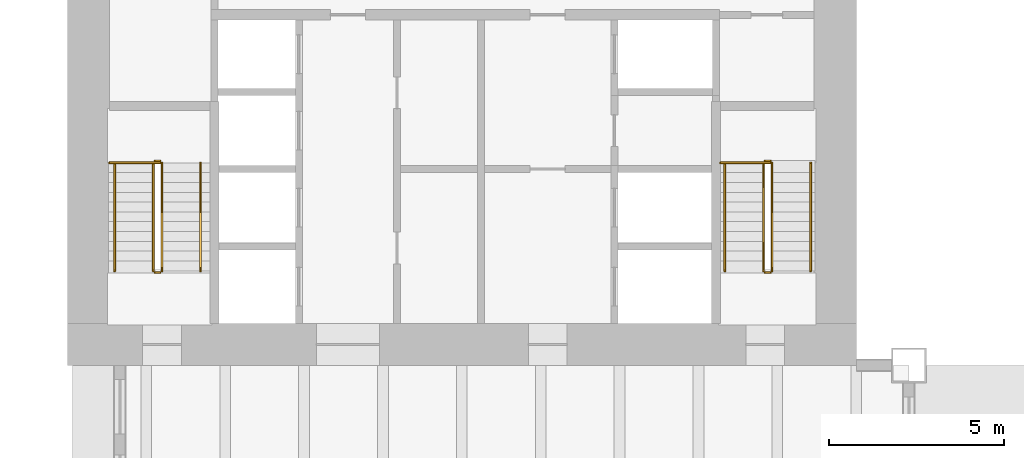
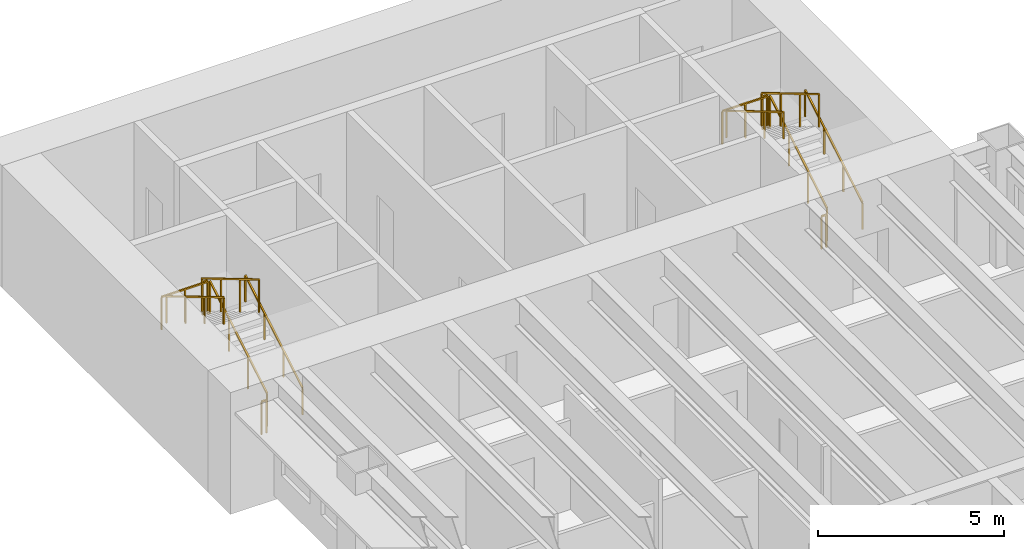
# One storey, part 16 of 16: 14 railings.
"""IFC4 building model written with IfcOpenShell, lengths in metres."""

from ifc_helpers import new_model, si_unit, direction, frame, origin, origin_2d, place, context, subcontext, project, spatial, rectangle, extrude, material, type_object, element, save


model = new_model("IFC4")

# Units and contexts
model_context = context("Model", 3, precision=1e-05, world=origin(), true_north=direction((0.0, 1.0)))
body_context = subcontext(model_context, "Body", "Model", "MODEL_VIEW")
ifc_project = project(units=[si_unit("LENGTHUNIT", "METRE"), si_unit("AREAUNIT", "SQUARE_METRE"), si_unit("VOLUMEUNIT", "CUBIC_METRE"), si_unit("PLANEANGLEUNIT", "RADIAN"), si_unit("MASSUNIT", "GRAM", prefix="KILO")], contexts=[model_context])

# Site, building, storey
site_placement = place(None, origin())
site = spatial("IfcSite", under=ifc_project, at=site_placement, CompositionType="ELEMENT")
building_placement = place(site_placement, origin())
building = spatial("IfcBuilding", under=site, at=building_placement, Name="Sennacour Bend Tower", CompositionType="ELEMENT")
storey_placement = place(building_placement, frame((0.0, 0.0, 91.0)))
storey = spatial("IfcBuildingStorey", under=building, at=storey_placement, Name="L20", CompositionType="ELEMENT", Elevation=91.0)

# Railings
ifc_material = material(Name="Stainless steel", Category="steel")
railing_type_1 = type_object("IfcRailingType", Name="RL-GUARD-1100", PredefinedType="GUARDRAIL", material=ifc_material)
railing_1_placement = place(storey_placement, frame((2.699951171875, 38.699951171875, 0.166748046875)))
element("IfcRailing", 1, at=railing_1_placement, inside=storey, type_object=railing_type_1, Name="L20 SB1 stair guard 1", PredefinedType="GUARDRAIL", context=body_context, shape_type="SweptSolid", body=[
    extrude(rectangle(XDim=0.048095703125, YDim=0.048095703125, at=origin_2d()), frame((0.0, 0.0, 1.076171875), z_axis=(0.0, 0.859308565015, 0.511457515432), x_axis=(-1.0, 0.0, 0.0)), (0.0, 0.0, 1.0), 3.58447265625),
    extrude(rectangle(XDim=0.0419921875, YDim=0.0419921875, at=origin_2d()), origin(), (0.0, 0.0, 1.0), 1.052001953125),
    extrude(rectangle(XDim=0.0419921875, YDim=0.0419921875, at=origin_2d()), frame((0.0, 1.026611328125, 0.611083984375)), (0.0, 0.0, 1.0), 1.052001953125),
    extrude(rectangle(XDim=0.0419921875, YDim=0.0419921875, at=origin_2d()), frame((0.0, 2.053466796875, 1.22216796875)), (0.0, 0.0, 1.0), 1.052001953125),
    extrude(rectangle(XDim=0.0419921875, YDim=0.0419921875, at=origin_2d()), frame((0.0, 3.080078125, 1.833251953125)), (0.0, 0.0, 1.0), 1.052001953125),
])
railing_2_placement = place(storey_placement, frame((2.64990234375, 41.830078125, 2.0)))
element("IfcRailing", 2, at=railing_2_placement, inside=storey, type_object=railing_type_1, Name="L20 SB1 stair guard 2", PredefinedType="GUARDRAIL", context=body_context, shape_type="SweptSolid", body=[
    extrude(rectangle(XDim=0.048095703125, YDim=0.048095703125, at=origin_2d()), frame((0.0, 0.0, 1.076171875), z_axis=(-1.0, 0.0, 0.0), x_axis=(0.0, -1.0, 0.0)), (0.0, 0.0, 1.0), 0.14990234375),
    extrude(rectangle(XDim=0.0419921875, YDim=0.0419921875, at=origin_2d()), origin(), (0.0, 0.0, 1.0), 1.052001953125),
    extrude(rectangle(XDim=0.0419921875, YDim=0.0419921875, at=origin_2d()), frame((-0.14990234375, 0.0, 0.0)), (0.0, 0.0, 1.0), 1.052001953125),
])
railing_3_placement = place(storey_placement, frame((2.449951171875, 41.780029296875, 2.166748046875)))
element("IfcRailing", 3, at=railing_3_placement, inside=storey, type_object=railing_type_1, Name="L20 SB1 stair guard 4", PredefinedType="GUARDRAIL", context=body_context, shape_type="SweptSolid", body=[
    extrude(rectangle(XDim=0.048095703125, YDim=0.048095703125, at=origin_2d()), frame((0.0, 0.0, 1.076171875), z_axis=(0.0, -0.859308565015, 0.511457515432), x_axis=(1.0, 0.0, 0.0)), (0.0, 0.0, 1.0), 3.58447265625),
    extrude(rectangle(XDim=0.0419921875, YDim=0.0419921875, at=origin_2d()), origin(), (0.0, 0.0, 1.0), 1.052001953125),
    extrude(rectangle(XDim=0.0419921875, YDim=0.0419921875, at=origin_2d()), frame((0.0, -1.026611328125, 0.611083984375)), (0.0, 0.0, 1.0), 1.052001953125),
    extrude(rectangle(XDim=0.0419921875, YDim=0.0419921875, at=origin_2d()), frame((0.0, -2.053466796875, 1.22216796875)), (0.0, 0.0, 1.0), 1.052001953125),
    extrude(rectangle(XDim=0.0419921875, YDim=0.0419921875, at=origin_2d()), frame((0.0, -3.080078125, 1.833251953125)), (0.0, 0.0, 1.0), 1.052001953125),
])
railing_4_placement = place(storey_placement, frame((2.64990234375, 38.64990234375, 0.0)))
element("IfcRailing", 4, at=railing_4_placement, inside=storey, type_object=railing_type_1, Name="L20 SB1 stair guard 5", PredefinedType="GUARDRAIL", context=body_context, shape_type="SweptSolid", body=[
    extrude(rectangle(XDim=0.048095703125, YDim=0.048095703125, at=origin_2d()), frame((0.0, 0.0, 1.076171875), z_axis=(-1.0, 0.0, 0.0), x_axis=(0.0, -1.0, 0.0)), (0.0, 0.0, 1.0), 0.14990234375),
    extrude(rectangle(XDim=0.0419921875, YDim=0.0419921875, at=origin_2d()), origin(), (0.0, 0.0, 1.0), 1.052001953125),
    extrude(rectangle(XDim=0.0419921875, YDim=0.0419921875, at=origin_2d()), frame((-0.14990234375, 0.0, 0.0)), (0.0, 0.0, 1.0), 1.052001953125),
])
railing_5_placement = place(storey_placement, frame((2.64990234375, 41.780029296875, 2.0)))
element("IfcRailing", 5, at=railing_5_placement, inside=storey, type_object=railing_type_1, Name="L20 SB1 landing edge guard 43", PredefinedType="GUARDRAIL", context=body_context, shape_type="SweptSolid", body=[
    extrude(rectangle(XDim=0.048095703125, YDim=0.048095703125, at=origin_2d()), frame((0.0, 0.0, 1.076171875), z_axis=(-1.0, 0.0, 0.0), x_axis=(0.0, -1.0, 0.0)), (0.0, 0.0, 1.0), 1.449951171875),
    extrude(rectangle(XDim=0.0419921875, YDim=0.0419921875, at=origin_2d()), origin(), (0.0, 0.0, 1.0), 1.052001953125),
    extrude(rectangle(XDim=0.0419921875, YDim=0.0419921875, at=origin_2d()), frame((-0.72509765625, 0.0, 0.0)), (0.0, 0.0, 1.0), 1.052001953125),
    extrude(rectangle(XDim=0.0419921875, YDim=0.0419921875, at=origin_2d()), frame((-1.449951171875, 0.0, 0.0)), (0.0, 0.0, 1.0), 1.052001953125),
])
railing_6_placement = place(storey_placement, frame((20.10009765625, 38.699951171875, 0.166748046875)))
element("IfcRailing", 6, at=railing_6_placement, inside=storey, type_object=railing_type_1, Name="L20 SB2 stair guard 1", PredefinedType="GUARDRAIL", context=body_context, shape_type="SweptSolid", body=[
    extrude(rectangle(XDim=0.048095703125, YDim=0.048095703125, at=origin_2d()), frame((0.0, 0.0, 1.076171875), z_axis=(0.0, 0.859308565015, 0.511457515432), x_axis=(-1.0, 0.0, 0.0)), (0.0, 0.0, 1.0), 3.58447265625),
    extrude(rectangle(XDim=0.0419921875, YDim=0.0419921875, at=origin_2d()), origin(), (0.0, 0.0, 1.0), 1.052001953125),
    extrude(rectangle(XDim=0.0419921875, YDim=0.0419921875, at=origin_2d()), frame((0.0, 1.026611328125, 0.611083984375)), (0.0, 0.0, 1.0), 1.052001953125),
    extrude(rectangle(XDim=0.0419921875, YDim=0.0419921875, at=origin_2d()), frame((0.0, 2.053466796875, 1.22216796875)), (0.0, 0.0, 1.0), 1.052001953125),
    extrude(rectangle(XDim=0.0419921875, YDim=0.0419921875, at=origin_2d()), frame((0.0, 3.080078125, 1.833251953125)), (0.0, 0.0, 1.0), 1.052001953125),
])
railing_7_placement = place(storey_placement, frame((20.050048828125, 41.830078125, 2.0)))
element("IfcRailing", 7, at=railing_7_placement, inside=storey, type_object=railing_type_1, Name="L20 SB2 stair guard 2", PredefinedType="GUARDRAIL", context=body_context, shape_type="SweptSolid", body=[
    extrude(rectangle(XDim=0.048095703125, YDim=0.048095703125, at=origin_2d()), frame((0.0, 0.0, 1.076171875), z_axis=(-1.0, 0.0, 0.0), x_axis=(0.0, -1.0, 0.0)), (0.0, 0.0, 1.0), 0.150146484375),
    extrude(rectangle(XDim=0.0419921875, YDim=0.0419921875, at=origin_2d()), origin(), (0.0, 0.0, 1.0), 1.052001953125),
    extrude(rectangle(XDim=0.0419921875, YDim=0.0419921875, at=origin_2d()), frame((-0.150146484375, 0.0, 0.0)), (0.0, 0.0, 1.0), 1.052001953125),
])
railing_8_placement = place(storey_placement, frame((19.85009765625, 41.780029296875, 2.166748046875)))
element("IfcRailing", 8, at=railing_8_placement, inside=storey, type_object=railing_type_1, Name="L20 SB2 stair guard 4", PredefinedType="GUARDRAIL", context=body_context, shape_type="SweptSolid", body=[
    extrude(rectangle(XDim=0.048095703125, YDim=0.048095703125, at=origin_2d()), frame((0.0, 0.0, 1.076171875), z_axis=(0.0, -0.859308565015, 0.511457515432), x_axis=(1.0, 0.0, 0.0)), (0.0, 0.0, 1.0), 3.58447265625),
    extrude(rectangle(XDim=0.0419921875, YDim=0.0419921875, at=origin_2d()), origin(), (0.0, 0.0, 1.0), 1.052001953125),
    extrude(rectangle(XDim=0.0419921875, YDim=0.0419921875, at=origin_2d()), frame((0.0, -1.026611328125, 0.611083984375)), (0.0, 0.0, 1.0), 1.052001953125),
    extrude(rectangle(XDim=0.0419921875, YDim=0.0419921875, at=origin_2d()), frame((0.0, -2.053466796875, 1.22216796875)), (0.0, 0.0, 1.0), 1.052001953125),
    extrude(rectangle(XDim=0.0419921875, YDim=0.0419921875, at=origin_2d()), frame((0.0, -3.080078125, 1.833251953125)), (0.0, 0.0, 1.0), 1.052001953125),
])
railing_9_placement = place(storey_placement, frame((20.050048828125, 38.64990234375, 0.0)))
element("IfcRailing", 9, at=railing_9_placement, inside=storey, type_object=railing_type_1, Name="L20 SB2 stair guard 5", PredefinedType="GUARDRAIL", context=body_context, shape_type="SweptSolid", body=[
    extrude(rectangle(XDim=0.048095703125, YDim=0.048095703125, at=origin_2d()), frame((0.0, 0.0, 1.076171875), z_axis=(-1.0, 0.0, 0.0), x_axis=(0.0, -1.0, 0.0)), (0.0, 0.0, 1.0), 0.150146484375),
    extrude(rectangle(XDim=0.0419921875, YDim=0.0419921875, at=origin_2d()), origin(), (0.0, 0.0, 1.0), 1.052001953125),
    extrude(rectangle(XDim=0.0419921875, YDim=0.0419921875, at=origin_2d()), frame((-0.150146484375, 0.0, 0.0)), (0.0, 0.0, 1.0), 1.052001953125),
])
railing_10_placement = place(storey_placement, frame((20.050048828125, 41.780029296875, 2.0)))
element("IfcRailing", 10, at=railing_10_placement, inside=storey, type_object=railing_type_1, Name="L20 SB2 landing edge guard 33", PredefinedType="GUARDRAIL", context=body_context, shape_type="SweptSolid", body=[
    extrude(rectangle(XDim=0.048095703125, YDim=0.048095703125, at=origin_2d()), frame((0.0, 0.0, 1.076171875), z_axis=(-1.0, 0.0, 0.0), x_axis=(0.0, -1.0, 0.0)), (0.0, 0.0, 1.0), 1.425048828125),
    extrude(rectangle(XDim=0.0419921875, YDim=0.0419921875, at=origin_2d()), origin(), (0.0, 0.0, 1.0), 1.052001953125),
    extrude(rectangle(XDim=0.0419921875, YDim=0.0419921875, at=origin_2d()), frame((-0.71240234375, 0.0, 0.0)), (0.0, 0.0, 1.0), 1.052001953125),
    extrude(rectangle(XDim=0.0419921875, YDim=0.0419921875, at=origin_2d()), frame((-1.425048828125, 0.0, 0.0)), (0.0, 0.0, 1.0), 1.052001953125),
])
railing_type_2 = type_object("IfcRailingType", Name="RL-HANDRAIL-900", PredefinedType="HANDRAIL", material=ifc_material)
railing_11_placement = place(storey_placement, frame((3.800048828125, 38.699951171875, 0.166748046875)))
element("IfcRailing", 11, at=railing_11_placement, inside=storey, type_object=railing_type_2, Name="L20 SB1 stair handrail 1", PredefinedType="HANDRAIL", context=body_context, shape_type="SweptSolid", body=[
    extrude(rectangle(XDim=0.048095703125, YDim=0.048095703125, at=origin_2d()), frame((0.0, 0.0, 0.8759765625), z_axis=(0.0, 0.859308565015, 0.511457515432), x_axis=(-1.0, 0.0, 0.0)), (0.0, 0.0, 1.0), 3.58447265625),
    extrude(rectangle(XDim=0.0419921875, YDim=0.0419921875, at=origin_2d()), origin(), (0.0, 0.0, 1.0), 0.851806640625),
    extrude(rectangle(XDim=0.0419921875, YDim=0.0419921875, at=origin_2d()), frame((0.0, 1.026611328125, 0.611083984375)), (0.0, 0.0, 1.0), 0.851806640625),
    extrude(rectangle(XDim=0.0419921875, YDim=0.0419921875, at=origin_2d()), frame((0.0, 2.053466796875, 1.22216796875)), (0.0, 0.0, 1.0), 0.851806640625),
    extrude(rectangle(XDim=0.0419921875, YDim=0.0419921875, at=origin_2d()), frame((0.0, 3.080078125, 1.833251953125)), (0.0, 0.0, 1.0), 0.851806640625),
])
railing_12_placement = place(storey_placement, frame((1.35009765625, 41.780029296875, 2.166748046875)))
element("IfcRailing", 12, at=railing_12_placement, inside=storey, type_object=railing_type_2, Name="L20 SB1 stair handrail 2", PredefinedType="HANDRAIL", context=body_context, shape_type="SweptSolid", body=[
    extrude(rectangle(XDim=0.048095703125, YDim=0.048095703125, at=origin_2d()), frame((0.0, 0.0, 0.8759765625), z_axis=(0.0, -0.859308565015, 0.511457515432), x_axis=(1.0, 0.0, 0.0)), (0.0, 0.0, 1.0), 3.58447265625),
    extrude(rectangle(XDim=0.0419921875, YDim=0.0419921875, at=origin_2d()), origin(), (0.0, 0.0, 1.0), 0.851806640625),
    extrude(rectangle(XDim=0.0419921875, YDim=0.0419921875, at=origin_2d()), frame((0.0, -1.026611328125, 0.611083984375)), (0.0, 0.0, 1.0), 0.851806640625),
    extrude(rectangle(XDim=0.0419921875, YDim=0.0419921875, at=origin_2d()), frame((0.0, -2.053466796875, 1.22216796875)), (0.0, 0.0, 1.0), 0.851806640625),
    extrude(rectangle(XDim=0.0419921875, YDim=0.0419921875, at=origin_2d()), frame((0.0, -3.080078125, 1.833251953125)), (0.0, 0.0, 1.0), 0.851806640625),
])
railing_13_placement = place(storey_placement, frame((21.199951171875, 38.699951171875, 0.166748046875)))
element("IfcRailing", 13, at=railing_13_placement, inside=storey, type_object=railing_type_2, Name="L20 SB2 stair handrail 1", PredefinedType="HANDRAIL", context=body_context, shape_type="SweptSolid", body=[
    extrude(rectangle(XDim=0.048095703125, YDim=0.048095703125, at=origin_2d()), frame((0.0, 0.0, 0.8759765625), z_axis=(0.0, 0.859308565015, 0.511457515432), x_axis=(-1.0, 0.0, 0.0)), (0.0, 0.0, 1.0), 3.58447265625),
    extrude(rectangle(XDim=0.0419921875, YDim=0.0419921875, at=origin_2d()), origin(), (0.0, 0.0, 1.0), 0.851806640625),
    extrude(rectangle(XDim=0.0419921875, YDim=0.0419921875, at=origin_2d()), frame((0.0, 1.026611328125, 0.611083984375)), (0.0, 0.0, 1.0), 0.851806640625),
    extrude(rectangle(XDim=0.0419921875, YDim=0.0419921875, at=origin_2d()), frame((0.0, 2.053466796875, 1.22216796875)), (0.0, 0.0, 1.0), 0.851806640625),
    extrude(rectangle(XDim=0.0419921875, YDim=0.0419921875, at=origin_2d()), frame((0.0, 3.080078125, 1.833251953125)), (0.0, 0.0, 1.0), 0.851806640625),
])
railing_14_placement = place(storey_placement, frame((18.75, 41.780029296875, 2.166748046875)))
element("IfcRailing", 14, at=railing_14_placement, inside=storey, type_object=railing_type_2, Name="L20 SB2 stair handrail 2", PredefinedType="HANDRAIL", context=body_context, shape_type="SweptSolid", body=[
    extrude(rectangle(XDim=0.048095703125, YDim=0.048095703125, at=origin_2d()), frame((0.0, 0.0, 0.8759765625), z_axis=(0.0, -0.859308565015, 0.511457515432), x_axis=(1.0, 0.0, 0.0)), (0.0, 0.0, 1.0), 3.58447265625),
    extrude(rectangle(XDim=0.0419921875, YDim=0.0419921875, at=origin_2d()), origin(), (0.0, 0.0, 1.0), 0.851806640625),
    extrude(rectangle(XDim=0.0419921875, YDim=0.0419921875, at=origin_2d()), frame((0.0, -1.026611328125, 0.611083984375)), (0.0, 0.0, 1.0), 0.851806640625),
    extrude(rectangle(XDim=0.0419921875, YDim=0.0419921875, at=origin_2d()), frame((0.0, -2.053466796875, 1.22216796875)), (0.0, 0.0, 1.0), 0.851806640625),
    extrude(rectangle(XDim=0.0419921875, YDim=0.0419921875, at=origin_2d()), frame((0.0, -3.080078125, 1.833251953125)), (0.0, 0.0, 1.0), 0.851806640625),
])

save(model, "model.ifc")
